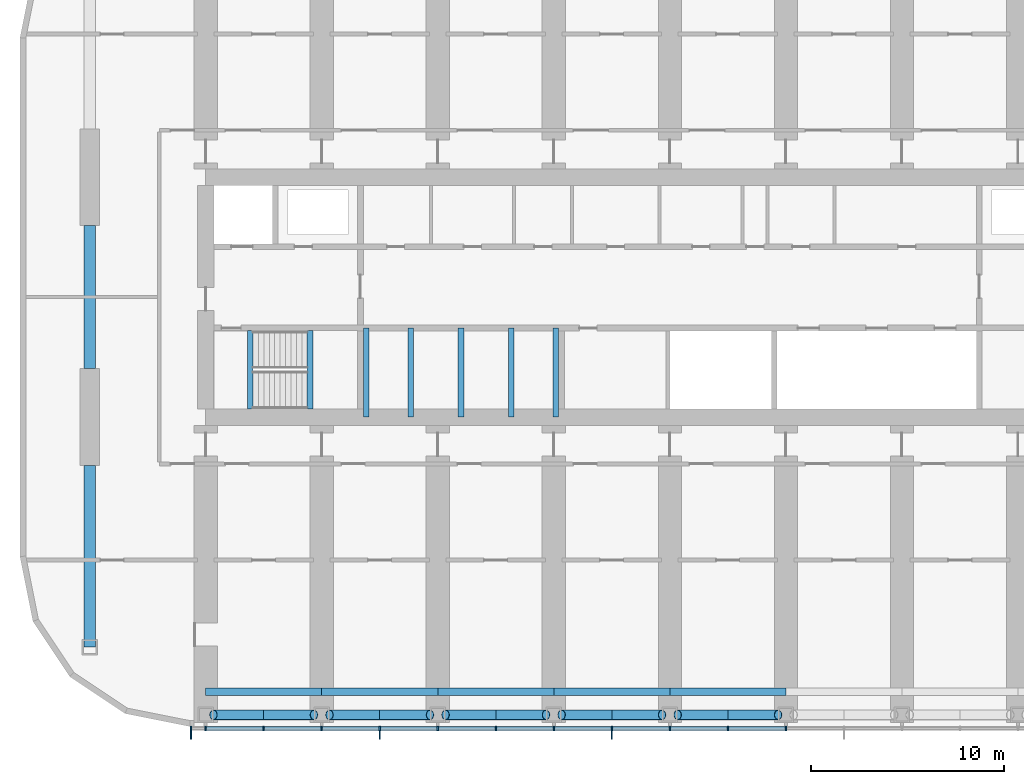
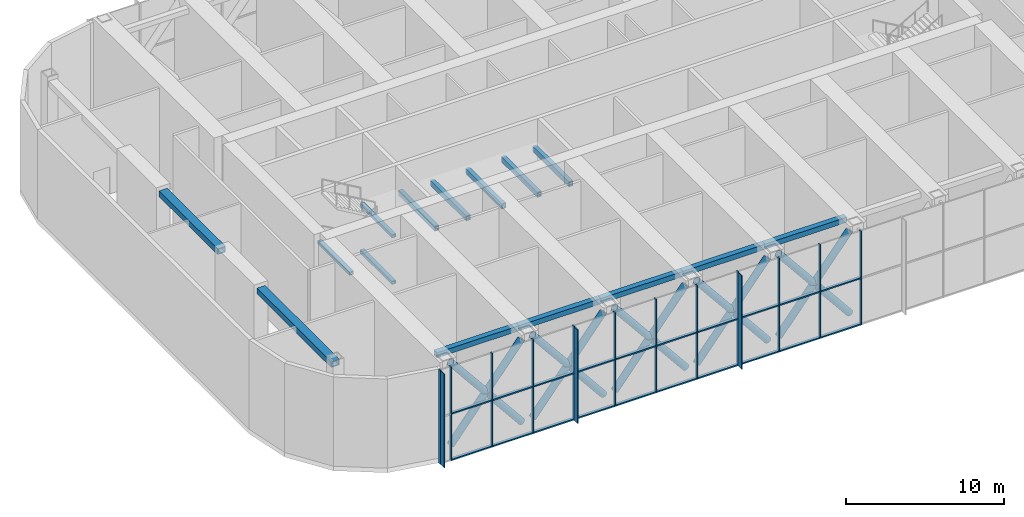
# One storey, part 2 of 22: 45 members, 15 beams, 1 element without a shape of its own.
"""IFC4 building model written with IfcOpenShell, lengths in metres."""

from ifc_helpers import new_model, si_unit, direction, frame, origin, origin_2d, place, context, subcontext, project, spatial, rectangle, hollow_rectangle, hollow_circle, extrude, material, material_profile, profile_set, type_object, element, aggregate, save


model = new_model("IFC4")

# Units and contexts
model_context = context("Model", 3, precision=1e-05, world=origin(), true_north=direction((0.0, 1.0)))
body_context = subcontext(model_context, "Body", "Model", "MODEL_VIEW")
ifc_project = project(units=[si_unit("LENGTHUNIT", "METRE"), si_unit("AREAUNIT", "SQUARE_METRE"), si_unit("VOLUMEUNIT", "CUBIC_METRE"), si_unit("PLANEANGLEUNIT", "RADIAN"), si_unit("MASSUNIT", "GRAM", prefix="KILO")], contexts=[model_context])

# Site, building, storey
site_placement = place(None, origin())
site = spatial("IfcSite", under=ifc_project, at=site_placement, CompositionType="ELEMENT")
building_placement = place(site_placement, origin())
building = spatial("IfcBuilding", under=site, at=building_placement, Name="Orbita Commons", CompositionType="ELEMENT")
storey_placement = place(building_placement, frame((0.0, 0.0, 201.10009765625)))
storey = spatial("IfcBuildingStorey", under=building, at=storey_placement, Name="L50", CompositionType="ELEMENT", Elevation=201.10009765625)

# Members
ifc_material_1 = material(Name="Steel ASTM A992", Category="steel")
ifc_material_profile_1 = material_profile(ifc_material_1, hollow_circle(Radius=0.25390625, WallThickness=0.02001953125, at=origin_2d()), Name="CHS 508x20")
ifc_profile_set_1 = profile_set([ifc_material_profile_1], Name="Steel ASTM A992")
member_type_1 = type_object("IfcMemberType", Name="Belt truss diagonal CHS 508x20", PredefinedType="BRACE", material=ifc_profile_set_1)
for number, where, z_axis, x_axis, name in (
    (1, (18.39990234375, 10.39990234375, 0.25), (0.630612687458, 0.0, 0.776097699015), (0.0, 1.0, 0.0), "Belt truss diagonal B 4-5 rising L50"),
    (2, (18.39990234375, 10.39990234375, 6.64990234375), (0.630612687458, 0.0, -0.776097699015), (0.0, 1.0, 0.0), "Belt truss diagonal B 4-5 falling L50"),
    (3, (24.39990234375, 10.39990234375, 0.25), (0.630612687458, 0.0, 0.776097699015), (0.0, 1.0, 0.0), "Belt truss diagonal B 5-6 rising L50"),
    (4, (24.39990234375, 10.39990234375, 6.64990234375), (0.630612687458, 0.0, -0.776097699015), (0.0, 1.0, 0.0), "Belt truss diagonal B 5-6 falling L50"),
    (5, (30.39990234375, 10.39990234375, 0.25), (0.630612687458, 0.0, 0.776097699015), (0.0, 1.0, 0.0), "Belt truss diagonal B 6-7 rising L50"),
    (6, (30.39990234375, 10.39990234375, 6.64990234375), (0.630612687458, 0.0, -0.776097699015), (0.0, 1.0, 0.0), "Belt truss diagonal B 6-7 falling L50"),
    (7, (36.39990234375, 10.39990234375, 0.25), (0.630612687458, 0.0, 0.776097699015), (0.0, 1.0, 0.0), "Belt truss diagonal B 7-8 rising L50"),
    (8, (36.39990234375, 10.39990234375, 6.64990234375), (0.630612687458, 0.0, -0.776097699015), (0.0, 1.0, 0.0), "Belt truss diagonal B 7-8 falling L50"),
    (9, (42.39990234375, 10.39990234375, 0.25), (0.630612687458, 0.0, 0.776097699015), (0.0, 1.0, 0.0), "Belt truss diagonal B 8-9 rising L50"),
    (10, (42.39990234375, 10.39990234375, 6.64990234375), (0.630612687458, 0.0, -0.776097699015), (0.0, 1.0, 0.0), "Belt truss diagonal B 8-9 falling L50"),
):
    element("IfcMember", number, at=place(storey_placement, frame(where, z_axis=z_axis, x_axis=x_axis)), inside=storey, type_object=member_type_1, Name=name, PredefinedType="BRACE", context=body_context, shape_type="SweptSolid", body=[
        extrude(hollow_circle(Radius=0.25390625, WallThickness=0.02001953125, at=origin_2d()), origin(), (0.0, 0.0, 1.0), 8.246337890625),
    ])

# Curtain wall, members
ifc_material_2 = material(Name="Anodised aluminium frame, pale silver", Category="aluminium")
curtain_wall_type = type_object("IfcCurtainWallType", Name="Louvred curtain wall CW-V", PredefinedType="NOTDEFINED", material=ifc_material_2)
curtain_wall_placement = place(storey_placement, origin())
curtain_wall = element("IfcCurtainWall", 11, at=curtain_wall_placement, inside=storey, type_object=curtain_wall_type, Name="Curtain wall south L50", PredefinedType="NOTDEFINED")
ifc_material_3 = material(Name="Anodised aluminium, pale silver", Category="aluminium")
ifc_material_profile_2 = material_profile(ifc_material_3, rectangle(XDim=0.080078125, YDim=0.219970703125, at=origin_2d()), Name="AL 80x220")
ifc_profile_set_2 = profile_set([ifc_material_profile_2], Name="Anodised aluminium, pale silver")
member_type_2 = type_object("IfcMemberType", Name="Curtain wall mullion 80x220", PredefinedType="MULLION", material=ifc_profile_set_2)
member_1_placement = place(storey_placement, frame((17.239990234375, 9.68994140625, -0.35009765625), z_axis=(0.0, 0.0, 1.0), x_axis=(1.0, 0.0, 0.0)))
member_1 = element("IfcMember", 12, at=member_1_placement, type_object=member_type_2, Name="Mullion 1 CW-L50-S", PredefinedType="MULLION", context=body_context, shape_type="SweptSolid", body=[
    extrude(rectangle(XDim=0.080078125, YDim=0.219970703125, at=origin_2d()), origin(), (0.0, 0.0, 1.0), 7.25),
])
member_2_placement = place(storey_placement, frame((18.0, 9.68994140625, -0.35009765625), z_axis=(0.0, 0.0, 1.0), x_axis=(1.0, 0.0, 0.0)))
member_2 = element("IfcMember", 13, at=member_2_placement, type_object=member_type_2, Name="Mullion 2 CW-L50-S", PredefinedType="MULLION", context=body_context, shape_type="SweptSolid", body=[
    extrude(rectangle(XDim=0.080078125, YDim=0.219970703125, at=origin_2d()), origin(), (0.0, 0.0, 1.0), 7.25),
])
member_3_placement = place(storey_placement, frame((21.0, 9.68994140625, -0.35009765625), z_axis=(0.0, 0.0, 1.0), x_axis=(1.0, 0.0, 0.0)))
member_3 = element("IfcMember", 14, at=member_3_placement, type_object=member_type_2, Name="Mullion 3 CW-L50-S", PredefinedType="MULLION", context=body_context, shape_type="SweptSolid", body=[
    extrude(rectangle(XDim=0.080078125, YDim=0.219970703125, at=origin_2d()), origin(), (0.0, 0.0, 1.0), 7.25),
])
member_4_placement = place(storey_placement, frame((24.0, 9.68994140625, -0.35009765625), z_axis=(0.0, 0.0, 1.0), x_axis=(1.0, 0.0, 0.0)))
member_4 = element("IfcMember", 15, at=member_4_placement, type_object=member_type_2, Name="Mullion 4 CW-L50-S", PredefinedType="MULLION", context=body_context, shape_type="SweptSolid", body=[
    extrude(rectangle(XDim=0.080078125, YDim=0.219970703125, at=origin_2d()), origin(), (0.0, 0.0, 1.0), 7.25),
])
member_5_placement = place(storey_placement, frame((27.0, 9.68994140625, -0.35009765625), z_axis=(0.0, 0.0, 1.0), x_axis=(1.0, 0.0, 0.0)))
member_5 = element("IfcMember", 16, at=member_5_placement, type_object=member_type_2, Name="Mullion 5 CW-L50-S", PredefinedType="MULLION", context=body_context, shape_type="SweptSolid", body=[
    extrude(rectangle(XDim=0.080078125, YDim=0.219970703125, at=origin_2d()), origin(), (0.0, 0.0, 1.0), 7.25),
])
member_6_placement = place(storey_placement, frame((30.0, 9.68994140625, -0.35009765625), z_axis=(0.0, 0.0, 1.0), x_axis=(1.0, 0.0, 0.0)))
member_6 = element("IfcMember", 17, at=member_6_placement, type_object=member_type_2, Name="Mullion 6 CW-L50-S", PredefinedType="MULLION", context=body_context, shape_type="SweptSolid", body=[
    extrude(rectangle(XDim=0.080078125, YDim=0.219970703125, at=origin_2d()), origin(), (0.0, 0.0, 1.0), 7.25),
])
member_7_placement = place(storey_placement, frame((33.0, 9.68994140625, -0.35009765625), z_axis=(0.0, 0.0, 1.0), x_axis=(1.0, 0.0, 0.0)))
member_7 = element("IfcMember", 18, at=member_7_placement, type_object=member_type_2, Name="Mullion 7 CW-L50-S", PredefinedType="MULLION", context=body_context, shape_type="SweptSolid", body=[
    extrude(rectangle(XDim=0.080078125, YDim=0.219970703125, at=origin_2d()), origin(), (0.0, 0.0, 1.0), 7.25),
])
member_8_placement = place(storey_placement, frame((36.0, 9.68994140625, -0.35009765625), z_axis=(0.0, 0.0, 1.0), x_axis=(1.0, 0.0, 0.0)))
member_8 = element("IfcMember", 19, at=member_8_placement, type_object=member_type_2, Name="Mullion 8 CW-L50-S", PredefinedType="MULLION", context=body_context, shape_type="SweptSolid", body=[
    extrude(rectangle(XDim=0.080078125, YDim=0.219970703125, at=origin_2d()), origin(), (0.0, 0.0, 1.0), 7.25),
])
member_9_placement = place(storey_placement, frame((39.0, 9.68994140625, -0.35009765625), z_axis=(0.0, 0.0, 1.0), x_axis=(1.0, 0.0, 0.0)))
member_9 = element("IfcMember", 20, at=member_9_placement, type_object=member_type_2, Name="Mullion 9 CW-L50-S", PredefinedType="MULLION", context=body_context, shape_type="SweptSolid", body=[
    extrude(rectangle(XDim=0.080078125, YDim=0.219970703125, at=origin_2d()), origin(), (0.0, 0.0, 1.0), 7.25),
])
member_10_placement = place(storey_placement, frame((42.0, 9.68994140625, -0.35009765625), z_axis=(0.0, 0.0, 1.0), x_axis=(1.0, 0.0, 0.0)))
member_10 = element("IfcMember", 21, at=member_10_placement, type_object=member_type_2, Name="Mullion 10 CW-L50-S", PredefinedType="MULLION", context=body_context, shape_type="SweptSolid", body=[
    extrude(rectangle(XDim=0.080078125, YDim=0.219970703125, at=origin_2d()), origin(), (0.0, 0.0, 1.0), 7.25),
])
member_11_placement = place(storey_placement, frame((45.0, 9.68994140625, -0.35009765625), z_axis=(0.0, 0.0, 1.0), x_axis=(1.0, 0.0, 0.0)))
member_11 = element("IfcMember", 22, at=member_11_placement, type_object=member_type_2, Name="Mullion 11 CW-L50-S", PredefinedType="MULLION", context=body_context, shape_type="SweptSolid", body=[
    extrude(rectangle(XDim=0.080078125, YDim=0.219970703125, at=origin_2d()), origin(), (0.0, 0.0, 1.0), 7.25),
])
member_12_placement = place(storey_placement, frame((48.0, 9.68994140625, -0.35009765625), z_axis=(0.0, 0.0, 1.0), x_axis=(1.0, 0.0, 0.0)))
member_12 = element("IfcMember", 23, at=member_12_placement, type_object=member_type_2, Name="Mullion 12 CW-L50-S", PredefinedType="MULLION", context=body_context, shape_type="SweptSolid", body=[
    extrude(rectangle(XDim=0.080078125, YDim=0.219970703125, at=origin_2d()), origin(), (0.0, 0.0, 1.0), 7.25),
])
ifc_material_4 = material(Name="Anodised aluminium, pale silver", Category="aluminium")
ifc_material_profile_3 = material_profile(ifc_material_4, rectangle(XDim=0.219970703125, YDim=0.10009765625, at=origin_2d()), Name="AL 220x100")
ifc_profile_set_3 = profile_set([ifc_material_profile_3], Name="Anodised aluminium, pale silver")
member_type_3 = type_object("IfcMemberType", Name="Curtain wall stack transom 220x100", PredefinedType="USERDEFINED", material=ifc_profile_set_3)
member_13_placement = place(storey_placement, frame((18.0400390625, 9.68994140625, -0.300048828125), z_axis=(1.0, 0.0, 0.0), x_axis=(0.0, 1.0, 0.0)))
member_13 = element("IfcMember", 24, at=member_13_placement, type_object=member_type_3, Name="Transom 2.1 CW-L50-S", ObjectType="TRANSOM", PredefinedType="USERDEFINED", context=body_context, shape_type="SweptSolid", body=[
    extrude(rectangle(XDim=0.219970703125, YDim=0.10009765625, at=origin_2d()), origin(), (0.0, 0.0, 1.0), 2.919921875),
])
member_14_placement = place(storey_placement, frame((18.0400390625, 9.68994140625, 3.27490234375), z_axis=(1.0, 0.0, 0.0), x_axis=(0.0, 1.0, 0.0)))
member_14 = element("IfcMember", 25, at=member_14_placement, type_object=member_type_3, Name="Transom 2.2 CW-L50-S", ObjectType="TRANSOM", PredefinedType="USERDEFINED", context=body_context, shape_type="SweptSolid", body=[
    extrude(rectangle(XDim=0.219970703125, YDim=0.10009765625, at=origin_2d()), origin(), (0.0, 0.0, 1.0), 2.919921875),
])
member_15_placement = place(storey_placement, frame((21.0400390625, 9.68994140625, -0.300048828125), z_axis=(1.0, 0.0, 0.0), x_axis=(0.0, 1.0, 0.0)))
member_15 = element("IfcMember", 26, at=member_15_placement, type_object=member_type_3, Name="Transom 3.1 CW-L50-S", ObjectType="TRANSOM", PredefinedType="USERDEFINED", context=body_context, shape_type="SweptSolid", body=[
    extrude(rectangle(XDim=0.219970703125, YDim=0.10009765625, at=origin_2d()), origin(), (0.0, 0.0, 1.0), 2.919921875),
])
member_16_placement = place(storey_placement, frame((21.0400390625, 9.68994140625, 3.27490234375), z_axis=(1.0, 0.0, 0.0), x_axis=(0.0, 1.0, 0.0)))
member_16 = element("IfcMember", 27, at=member_16_placement, type_object=member_type_3, Name="Transom 3.2 CW-L50-S", ObjectType="TRANSOM", PredefinedType="USERDEFINED", context=body_context, shape_type="SweptSolid", body=[
    extrude(rectangle(XDim=0.219970703125, YDim=0.10009765625, at=origin_2d()), origin(), (0.0, 0.0, 1.0), 2.919921875),
])
member_17_placement = place(storey_placement, frame((24.0400390625, 9.68994140625, -0.300048828125), z_axis=(1.0, 0.0, 0.0), x_axis=(0.0, 1.0, 0.0)))
member_17 = element("IfcMember", 28, at=member_17_placement, type_object=member_type_3, Name="Transom 4.1 CW-L50-S", ObjectType="TRANSOM", PredefinedType="USERDEFINED", context=body_context, shape_type="SweptSolid", body=[
    extrude(rectangle(XDim=0.219970703125, YDim=0.10009765625, at=origin_2d()), origin(), (0.0, 0.0, 1.0), 2.919921875),
])
member_18_placement = place(storey_placement, frame((24.0400390625, 9.68994140625, 3.27490234375), z_axis=(1.0, 0.0, 0.0), x_axis=(0.0, 1.0, 0.0)))
member_18 = element("IfcMember", 29, at=member_18_placement, type_object=member_type_3, Name="Transom 4.2 CW-L50-S", ObjectType="TRANSOM", PredefinedType="USERDEFINED", context=body_context, shape_type="SweptSolid", body=[
    extrude(rectangle(XDim=0.219970703125, YDim=0.10009765625, at=origin_2d()), origin(), (0.0, 0.0, 1.0), 2.919921875),
])
member_19_placement = place(storey_placement, frame((27.0400390625, 9.68994140625, -0.300048828125), z_axis=(1.0, 0.0, 0.0), x_axis=(0.0, 1.0, 0.0)))
member_19 = element("IfcMember", 30, at=member_19_placement, type_object=member_type_3, Name="Transom 5.1 CW-L50-S", ObjectType="TRANSOM", PredefinedType="USERDEFINED", context=body_context, shape_type="SweptSolid", body=[
    extrude(rectangle(XDim=0.219970703125, YDim=0.10009765625, at=origin_2d()), origin(), (0.0, 0.0, 1.0), 2.919921875),
])
member_20_placement = place(storey_placement, frame((27.0400390625, 9.68994140625, 3.27490234375), z_axis=(1.0, 0.0, 0.0), x_axis=(0.0, 1.0, 0.0)))
member_20 = element("IfcMember", 31, at=member_20_placement, type_object=member_type_3, Name="Transom 5.2 CW-L50-S", ObjectType="TRANSOM", PredefinedType="USERDEFINED", context=body_context, shape_type="SweptSolid", body=[
    extrude(rectangle(XDim=0.219970703125, YDim=0.10009765625, at=origin_2d()), origin(), (0.0, 0.0, 1.0), 2.919921875),
])
member_21_placement = place(storey_placement, frame((30.0400390625, 9.68994140625, -0.300048828125), z_axis=(1.0, 0.0, 0.0), x_axis=(0.0, 1.0, 0.0)))
member_21 = element("IfcMember", 32, at=member_21_placement, type_object=member_type_3, Name="Transom 6.1 CW-L50-S", ObjectType="TRANSOM", PredefinedType="USERDEFINED", context=body_context, shape_type="SweptSolid", body=[
    extrude(rectangle(XDim=0.219970703125, YDim=0.10009765625, at=origin_2d()), origin(), (0.0, 0.0, 1.0), 2.919921875),
])
member_22_placement = place(storey_placement, frame((30.0400390625, 9.68994140625, 3.27490234375), z_axis=(1.0, 0.0, 0.0), x_axis=(0.0, 1.0, 0.0)))
member_22 = element("IfcMember", 33, at=member_22_placement, type_object=member_type_3, Name="Transom 6.2 CW-L50-S", ObjectType="TRANSOM", PredefinedType="USERDEFINED", context=body_context, shape_type="SweptSolid", body=[
    extrude(rectangle(XDim=0.219970703125, YDim=0.10009765625, at=origin_2d()), origin(), (0.0, 0.0, 1.0), 2.919921875),
])
member_23_placement = place(storey_placement, frame((33.0400390625, 9.68994140625, -0.300048828125), z_axis=(1.0, 0.0, 0.0), x_axis=(0.0, 1.0, 0.0)))
member_23 = element("IfcMember", 34, at=member_23_placement, type_object=member_type_3, Name="Transom 7.1 CW-L50-S", ObjectType="TRANSOM", PredefinedType="USERDEFINED", context=body_context, shape_type="SweptSolid", body=[
    extrude(rectangle(XDim=0.219970703125, YDim=0.10009765625, at=origin_2d()), origin(), (0.0, 0.0, 1.0), 2.919921875),
])
member_24_placement = place(storey_placement, frame((33.0400390625, 9.68994140625, 3.27490234375), z_axis=(1.0, 0.0, 0.0), x_axis=(0.0, 1.0, 0.0)))
member_24 = element("IfcMember", 35, at=member_24_placement, type_object=member_type_3, Name="Transom 7.2 CW-L50-S", ObjectType="TRANSOM", PredefinedType="USERDEFINED", context=body_context, shape_type="SweptSolid", body=[
    extrude(rectangle(XDim=0.219970703125, YDim=0.10009765625, at=origin_2d()), origin(), (0.0, 0.0, 1.0), 2.919921875),
])
member_25_placement = place(storey_placement, frame((36.0400390625, 9.68994140625, -0.300048828125), z_axis=(1.0, 0.0, 0.0), x_axis=(0.0, 1.0, 0.0)))
member_25 = element("IfcMember", 36, at=member_25_placement, type_object=member_type_3, Name="Transom 8.1 CW-L50-S", ObjectType="TRANSOM", PredefinedType="USERDEFINED", context=body_context, shape_type="SweptSolid", body=[
    extrude(rectangle(XDim=0.219970703125, YDim=0.10009765625, at=origin_2d()), origin(), (0.0, 0.0, 1.0), 2.919921875),
])
member_26_placement = place(storey_placement, frame((36.0400390625, 9.68994140625, 3.27490234375), z_axis=(1.0, 0.0, 0.0), x_axis=(0.0, 1.0, 0.0)))
member_26 = element("IfcMember", 37, at=member_26_placement, type_object=member_type_3, Name="Transom 8.2 CW-L50-S", ObjectType="TRANSOM", PredefinedType="USERDEFINED", context=body_context, shape_type="SweptSolid", body=[
    extrude(rectangle(XDim=0.219970703125, YDim=0.10009765625, at=origin_2d()), origin(), (0.0, 0.0, 1.0), 2.919921875),
])
member_27_placement = place(storey_placement, frame((39.0400390625, 9.68994140625, -0.300048828125), z_axis=(1.0, 0.0, 0.0), x_axis=(0.0, 1.0, 0.0)))
member_27 = element("IfcMember", 38, at=member_27_placement, type_object=member_type_3, Name="Transom 9.1 CW-L50-S", ObjectType="TRANSOM", PredefinedType="USERDEFINED", context=body_context, shape_type="SweptSolid", body=[
    extrude(rectangle(XDim=0.219970703125, YDim=0.10009765625, at=origin_2d()), origin(), (0.0, 0.0, 1.0), 2.919921875),
])
member_28_placement = place(storey_placement, frame((39.0400390625, 9.68994140625, 3.27490234375), z_axis=(1.0, 0.0, 0.0), x_axis=(0.0, 1.0, 0.0)))
member_28 = element("IfcMember", 39, at=member_28_placement, type_object=member_type_3, Name="Transom 9.2 CW-L50-S", ObjectType="TRANSOM", PredefinedType="USERDEFINED", context=body_context, shape_type="SweptSolid", body=[
    extrude(rectangle(XDim=0.219970703125, YDim=0.10009765625, at=origin_2d()), origin(), (0.0, 0.0, 1.0), 2.919921875),
])
member_29_placement = place(storey_placement, frame((42.0400390625, 9.68994140625, -0.300048828125), z_axis=(1.0, 0.0, 0.0), x_axis=(0.0, 1.0, 0.0)))
member_29 = element("IfcMember", 40, at=member_29_placement, type_object=member_type_3, Name="Transom 10.1 CW-L50-S", ObjectType="TRANSOM", PredefinedType="USERDEFINED", context=body_context, shape_type="SweptSolid", body=[
    extrude(rectangle(XDim=0.219970703125, YDim=0.10009765625, at=origin_2d()), origin(), (0.0, 0.0, 1.0), 2.919921875),
])
member_30_placement = place(storey_placement, frame((42.0400390625, 9.68994140625, 3.27490234375), z_axis=(1.0, 0.0, 0.0), x_axis=(0.0, 1.0, 0.0)))
member_30 = element("IfcMember", 41, at=member_30_placement, type_object=member_type_3, Name="Transom 10.2 CW-L50-S", ObjectType="TRANSOM", PredefinedType="USERDEFINED", context=body_context, shape_type="SweptSolid", body=[
    extrude(rectangle(XDim=0.219970703125, YDim=0.10009765625, at=origin_2d()), origin(), (0.0, 0.0, 1.0), 2.919921875),
])
member_31_placement = place(storey_placement, frame((45.0400390625, 9.68994140625, -0.300048828125), z_axis=(1.0, 0.0, 0.0), x_axis=(0.0, 1.0, 0.0)))
member_31 = element("IfcMember", 42, at=member_31_placement, type_object=member_type_3, Name="Transom 11.1 CW-L50-S", ObjectType="TRANSOM", PredefinedType="USERDEFINED", context=body_context, shape_type="SweptSolid", body=[
    extrude(rectangle(XDim=0.219970703125, YDim=0.10009765625, at=origin_2d()), origin(), (0.0, 0.0, 1.0), 2.919921875),
])
member_32_placement = place(storey_placement, frame((45.0400390625, 9.68994140625, 3.27490234375), z_axis=(1.0, 0.0, 0.0), x_axis=(0.0, 1.0, 0.0)))
member_32 = element("IfcMember", 43, at=member_32_placement, type_object=member_type_3, Name="Transom 11.2 CW-L50-S", ObjectType="TRANSOM", PredefinedType="USERDEFINED", context=body_context, shape_type="SweptSolid", body=[
    extrude(rectangle(XDim=0.219970703125, YDim=0.10009765625, at=origin_2d()), origin(), (0.0, 0.0, 1.0), 2.919921875),
])

# Beams
ifc_material_5 = material(Name="Steel ASTM A572 Gr 50 welded plate", Category="steel")
ifc_material_profile_4 = material_profile(ifc_material_5, hollow_rectangle(XDim=0.300048828125, YDim=0.39990234375, WallThickness=0.0400390625, at=origin_2d()), Name="BOX 400x300x40")
ifc_profile_set_4 = profile_set([ifc_material_profile_4], Name="Steel ASTM A572 Gr 50 welded plate")
beam_type_1 = type_object("IfcBeamType", Name="Lift pit beam steel BOX 400x300x40", PredefinedType="BEAM", material=ifc_profile_set_4)
for number, where, z_axis, x_axis, name in (
    (44, (26.300048828125, 25.800048828125, 4.89990234375), (0.0, 1.0, 0.0), (-1.0, 0.0, 0.0), "Lift pit slab bank P4 beam 1"),
    (45, (28.60009765625, 25.800048828125, 4.89990234375), (0.0, 1.0, 0.0), (-1.0, 0.0, 0.0), "Lift pit slab bank P4 beam 2"),
    (46, (31.199951171875, 25.800048828125, 4.89990234375), (0.0, 1.0, 0.0), (-1.0, 0.0, 0.0), "Lift pit slab bank P4 beam 3"),
    (47, (33.800048828125, 25.800048828125, 4.89990234375), (0.0, 1.0, 0.0), (-1.0, 0.0, 0.0), "Lift pit slab bank P4 beam 4"),
    (48, (36.10009765625, 25.800048828125, 4.89990234375), (0.0, 1.0, 0.0), (-1.0, 0.0, 0.0), "Lift pit slab bank P4 beam 5"),
):
    element("IfcBeam", number, at=place(storey_placement, frame(where, z_axis=z_axis, x_axis=x_axis)), inside=storey, type_object=beam_type_1, Name=name, PredefinedType="BEAM", context=body_context, shape_type="SweptSolid", body=[
        extrude(hollow_rectangle(XDim=0.300048828125, YDim=0.39990234375, WallThickness=0.0400390625, at=origin_2d()), origin(), (0.0, 0.0, 1.0), 4.599853515625),
    ])
ifc_material_6 = material(Name="Steel ASTM A572 Gr 50 welded plate", Category="steel")
ifc_material_profile_5 = material_profile(ifc_material_6, hollow_rectangle(XDim=0.300048828125, YDim=0.25, WallThickness=0.02490234375, at=origin_2d()), Name="BOX 250x300x25")
ifc_profile_set_5 = profile_set([ifc_material_profile_5], Name="Steel ASTM A572 Gr 50 welded plate")
beam_type_2 = type_object("IfcBeamType", Name="Stair landing beam steel BOX 250x300x25", PredefinedType="BEAM", material=ifc_profile_set_5)
for number, where, z_axis, x_axis, name in (
    (49, (23.39990234375, 26.2099609375, 1.474853515625), (0.0, 1.0, 0.0), (-1.0, 0.0, 0.0), "Stair S1 landing beam L50 1"),
    (50, (20.300048828125, 26.2099609375, 3.27490234375), (0.0, 1.0, 0.0), (-1.0, 0.0, 0.0), "Stair S1 landing beam L50 2"),
    (51, (23.39990234375, 26.2099609375, 5.074951171875), (0.0, 1.0, 0.0), (-1.0, 0.0, 0.0), "Stair S1 landing beam L50 3"),
):
    element("IfcBeam", number, at=place(storey_placement, frame(where, z_axis=z_axis, x_axis=x_axis)), inside=storey, type_object=beam_type_2, Name=name, PredefinedType="BEAM", context=body_context, shape_type="SweptSolid", body=[
        extrude(hollow_rectangle(XDim=0.300048828125, YDim=0.25, WallThickness=0.02490234375, at=origin_2d()), origin(), (0.0, 0.0, 1.0), 4.054931640625),
    ])
ifc_material_7 = material(Name="Steel ASTM A572 Gr 50 welded plate", Category="steel")
ifc_material_profile_6 = material_profile(ifc_material_7, hollow_rectangle(XDim=0.60009765625, YDim=0.449951171875, WallThickness=0.06005859375, at=origin_2d()), Name="BOX 450x600x60")
ifc_profile_set_6 = profile_set([ifc_material_profile_6], Name="Steel ASTM A572 Gr 50 welded plate")
beam_type_3 = type_object("IfcBeamType", Name="Steel end frame link BOX 450x600x60", PredefinedType="BEAM", material=ifc_profile_set_6)
beam_1_placement = place(storey_placement, frame((12.0, 13.89990234375, 6.6748046875), z_axis=(0.0, 1.0, 0.0), x_axis=(-1.0, 0.0, 0.0)))
element("IfcBeam", 52, at=beam_1_placement, inside=storey, type_object=beam_type_3, Name="End frame beam 3 B-C L50", PredefinedType="BEAM", context=body_context, shape_type="SweptSolid", body=[
    extrude(hollow_rectangle(XDim=0.60009765625, YDim=0.449951171875, WallThickness=0.06005859375, at=origin_2d()), origin(), (0.0, 0.0, 1.0), 9.400146484375),
])
beam_2_placement = place(storey_placement, frame((12.0, 28.300048828125, 6.6748046875), z_axis=(0.0, 1.0, 0.0), x_axis=(-1.0, 0.0, 0.0)))
element("IfcBeam", 53, at=beam_2_placement, inside=storey, type_object=beam_type_3, Name="End frame beam 3 C-D L50", PredefinedType="BEAM", context=body_context, shape_type="SweptSolid", body=[
    extrude(hollow_rectangle(XDim=0.60009765625, YDim=0.449951171875, WallThickness=0.06005859375, at=origin_2d()), origin(), (0.0, 0.0, 1.0), 7.39990234375),
])
ifc_material_8 = material(Name="Steel ASTM A572 Gr 50 welded plate", Category="steel")
ifc_material_profile_7 = material_profile(ifc_material_8, hollow_rectangle(XDim=0.39990234375, YDim=0.39990234375, WallThickness=0.0400390625, at=origin_2d()), Name="BOX 400x400x40")
ifc_profile_set_7 = profile_set([ifc_material_profile_7], Name="Steel ASTM A572 Gr 50 welded plate")
beam_type_4 = type_object("IfcBeamType", Name="Steel spandrel BOX 400x400x40", PredefinedType="SPANDREL", material=ifc_profile_set_7)
for number, where, z_axis, x_axis, name in (
    (54, (18.0, 11.60009765625, 6.699951171875), (1.0, 0.0, 0.0), (0.0, 1.0, 0.0), "Spandrel beam B 4-5 L50"),
    (55, (24.0, 11.60009765625, 6.699951171875), (1.0, 0.0, 0.0), (0.0, 1.0, 0.0), "Spandrel beam B 5-6 L50"),
    (56, (30.0, 11.60009765625, 6.699951171875), (1.0, 0.0, 0.0), (0.0, 1.0, 0.0), "Spandrel beam B 6-7 L50"),
    (57, (36.0, 11.60009765625, 6.699951171875), (1.0, 0.0, 0.0), (0.0, 1.0, 0.0), "Spandrel beam B 7-8 L50"),
    (58, (42.0, 11.60009765625, 6.699951171875), (1.0, 0.0, 0.0), (0.0, 1.0, 0.0), "Spandrel beam B 8-9 L50"),
):
    element("IfcBeam", number, at=place(storey_placement, frame(where, z_axis=z_axis, x_axis=x_axis)), inside=storey, type_object=beam_type_4, Name=name, PredefinedType="SPANDREL", context=body_context, shape_type="SweptSolid", body=[
        extrude(hollow_rectangle(XDim=0.39990234375, YDim=0.39990234375, WallThickness=0.0400390625, at=origin_2d()), origin(), (0.0, 0.0, 1.0), 6.0),
    ])

# Member
ifc_material_9 = material(Name="Anodised aluminium, pale silver", Category="aluminium")
ifc_material_profile_8 = material_profile(ifc_material_9, rectangle(XDim=0.06005859375, YDim=0.449951171875, at=origin_2d()), Name="FIN 60x450")
ifc_profile_set_8 = profile_set([ifc_material_profile_8], Name="Anodised aluminium, pale silver")
member_type_4 = type_object("IfcMemberType", Name="Vertical fin 60x450 pale aluminium", PredefinedType="USERDEFINED", material=ifc_profile_set_8)
member_33_placement = place(storey_placement, frame((17.239990234375, 9.35498046875, -0.35009765625), z_axis=(0.0, 0.0, 1.0), x_axis=(1.0, 0.0, 0.0)))
member_33 = element("IfcMember", 59, at=member_33_placement, type_object=member_type_4, Name="Fin 1 CW-L50-S", ObjectType="FIN", PredefinedType="USERDEFINED", context=body_context, shape_type="SweptSolid", body=[
    extrude(rectangle(XDim=0.06005859375, YDim=0.449951171875, at=origin_2d()), origin(), (0.0, 0.0, 1.0), 7.25),
])

member_34_placement = place(storey_placement, frame((27.0, 9.35498046875, -0.35009765625), z_axis=(0.0, 0.0, 1.0), x_axis=(1.0, 0.0, 0.0)))
member_34 = element("IfcMember", 60, at=member_34_placement, type_object=member_type_4, Name="Fin 5 CW-L50-S", ObjectType="FIN", PredefinedType="USERDEFINED", context=body_context, shape_type="SweptSolid", body=[
    extrude(rectangle(XDim=0.06005859375, YDim=0.449951171875, at=origin_2d()), origin(), (0.0, 0.0, 1.0), 7.25),
])

member_35_placement = place(storey_placement, frame((39.0, 9.35498046875, -0.35009765625), z_axis=(0.0, 0.0, 1.0), x_axis=(1.0, 0.0, 0.0)))
member_35 = element("IfcMember", 61, at=member_35_placement, type_object=member_type_4, Name="Fin 9 CW-L50-S", ObjectType="FIN", PredefinedType="USERDEFINED", context=body_context, shape_type="SweptSolid", body=[
    extrude(rectangle(XDim=0.06005859375, YDim=0.449951171875, at=origin_2d()), origin(), (0.0, 0.0, 1.0), 7.25),
])

aggregate(curtain_wall, [member_1, member_33, member_2, member_3, member_4, member_5, member_34, member_6, member_7, member_8, member_9, member_35, member_10, member_11, member_12, member_13, member_14, member_15, member_16, member_17, member_18, member_19, member_20, member_21, member_22, member_23, member_24, member_25, member_26, member_27, member_28, member_29, member_30, member_31, member_32])

save(model, "model.ifc")
